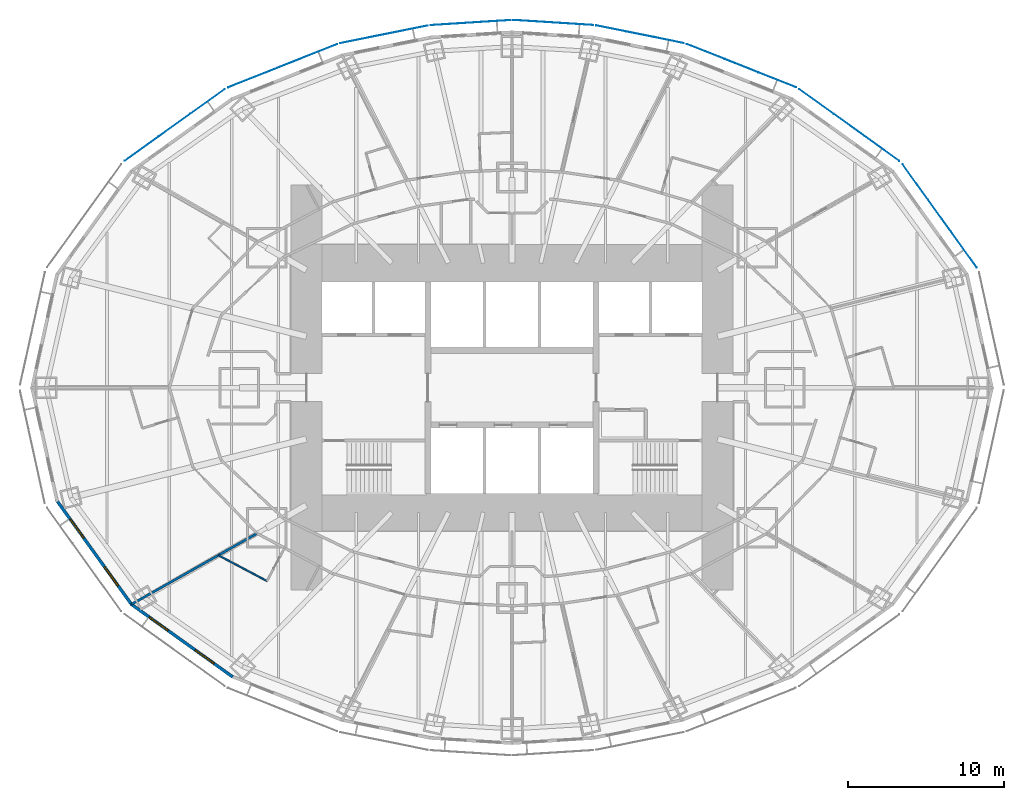
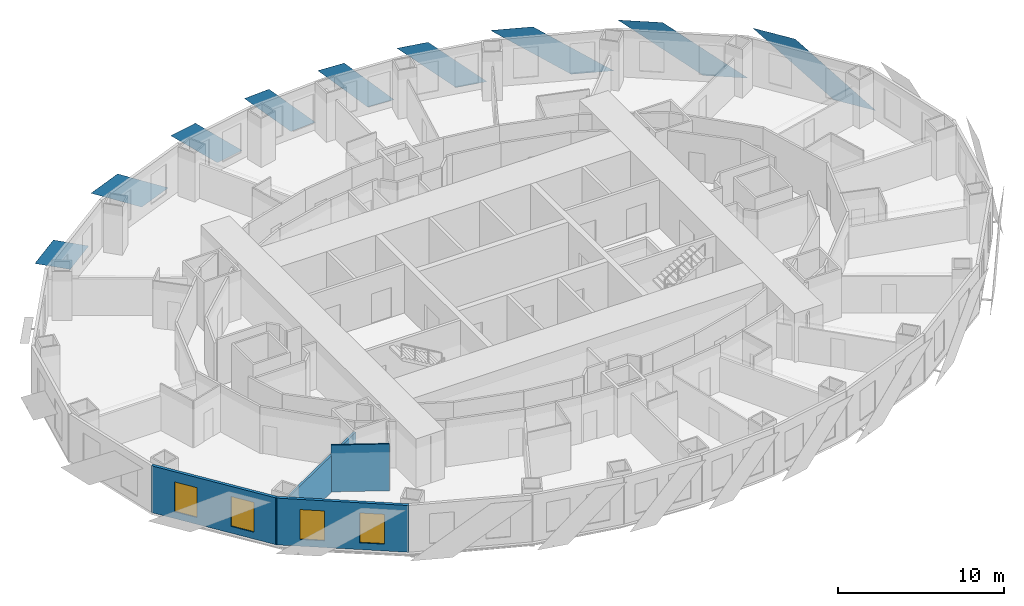
# One storey, part 4 of 15: 9 plates, 4 walls, 4 windows, 4 openings.
"""IFC4 building model written with IfcOpenShell, lengths in metres."""

from ifc_helpers import new_model, si_unit, direction, frame, frame_2d, origin, place, context, subcontext, project, spatial, polyline, rectangle, outline, extrude, material, layer, layer_set, type_object, element, fill, save


model = new_model("IFC4")

# Units and contexts
model_context = context("Model", 3, precision=1e-05, world=origin(), true_north=direction((0.0, 1.0)))
body_context = subcontext(model_context, "Body", "Model", "MODEL_VIEW")
ifc_project = project(units=[si_unit("LENGTHUNIT", "METRE"), si_unit("AREAUNIT", "SQUARE_METRE"), si_unit("VOLUMEUNIT", "CUBIC_METRE"), si_unit("PLANEANGLEUNIT", "RADIAN"), si_unit("MASSUNIT", "GRAM", prefix="KILO")], contexts=[model_context])

# Site, building, storey
site_placement = place(None, origin())
site = spatial("IfcSite", under=ifc_project, at=site_placement, CompositionType="ELEMENT")
building_placement = place(site_placement, origin())
building = spatial("IfcBuilding", under=site, at=building_placement, Name="Lantaw Convention Tower", CompositionType="ELEMENT")
storey_placement = place(building_placement, frame((0.0, 0.0, 80.199951171875)))
storey = spatial("IfcBuildingStorey", under=building, at=storey_placement, Name="L18", CompositionType="ELEMENT", Elevation=80.199951171875)

# Plates
ifc_material_1 = material(Name="Perforated aluminium sheet, pale silver finish", Category="aluminium")
ifc_layer_1 = layer(ifc_material_1, 0.006103515625)
ifc_layer_set_1 = layer_set([ifc_layer_1], Name="Perforated aluminium solar SCREEN panel")
plate_type = type_object("IfcPlateType", Name="Perforated aluminium solar SCREEN panel", PredefinedType="SHEET", material=ifc_layer_set_1)
plate_1_placement = place(storey_placement, frame((29.847900390625, 7.720947265625, -0.175048828125), z_axis=(0.811791382613, 0.583947558463, 9.019268e-06), x_axis=(-0.583947558486, 0.811791382646, 0.0)))
element("IfcPlate", 1, at=plate_1_placement, inside=storey, type_object=plate_type, Name="Solar SCREEN panel", PredefinedType="SHEET", context=body_context, shape_type="SweptSolid", body=[
    extrude(outline(polyline([(0.0, 0.0), (2.809541672291133, 0.0), (8.163093158837512, 3.739990234527119), (5.353551486546379, 3.739990234527119), (0.0, 0.0)])), origin(), (0.0, 0.0, -1.0), 0.006103515625),
])
plate_2_placement = place(storey_placement, frame((24.872314453125, 14.555908203125, -0.175048828125), z_axis=(0.582561421998, 0.812786681331, 1.5819417e-05), x_axis=(-0.812786681433, 0.582561422071, 0.0)))
element("IfcPlate", 2, at=plate_2_placement, inside=storey, type_object=plate_type, Name="Solar SCREEN panel", PredefinedType="SHEET", context=body_context, shape_type="SweptSolid", body=[
    extrude(outline(polyline([(0.0, 0.0), (2.721095180812288, 3.3881317890172014e-21), (7.903118572410756, 3.739990234842974), (5.182023391598468, 3.739990234842974), (0.0, 0.0)])), origin(), (0.0, 0.0, -1.0), 0.006103515625),
])
plate_3_placement = place(storey_placement, frame((18.232177734375, 19.278076171875, -0.175048828125), z_axis=(-0.369183532846, -0.929356508016, 9.163296e-06), x_axis=(-0.929356508055, 0.369183532862, 0.0)))
element("IfcPlate", 3, at=plate_3_placement, inside=storey, type_object=plate_type, Name="Solar SCREEN panel", PredefinedType="SHEET", context=body_context, shape_type="SweptSolid", body=[
    extrude(outline(polyline([(0.0, 0.0), (2.594936467166582, -1.6940658945086007e-21), (7.5321069917580825, -3.739990234532016), (4.937170524591499, -3.739990234532016), (0.0, 0.0)])), origin(), (0.0, 0.0, -1.0), 0.006103515625),
])
plate_4_placement = place(storey_placement, frame((11.03271484375, 22.117919921875, -0.175048828125), z_axis=(-0.197781876197, -0.980246055561, 2.418535e-06), x_axis=(-0.980246055563, 0.197781876198, 1.46e-10)))
element("IfcPlate", 4, at=plate_4_placement, inside=storey, type_object=plate_type, Name="Solar SCREEN panel", PredefinedType="SHEET", context=body_context, shape_type="SweptSolid", body=[
    extrude(outline(polyline([(0.0, 0.0), (1.9867801772236329, -3.1763735522036263e-22), (5.743587245978565, -3.7399902335493134), (3.7568553553458006, -3.739990234128105), (0.0, 0.0)])), origin(), (0.0, 0.0, -1.0), 0.006103515625),
])
plate_5_placement = place(storey_placement, frame((5.221923828125, 23.27783203125, -0.175048828125), z_axis=(-0.062923905251, -0.998018327468, 1.3605496e-05), x_axis=(-0.998018327561, 0.062923905257, 9.3e-10)))
element("IfcPlate", 5, at=plate_5_placement, inside=storey, type_object=plate_type, Name="Solar SCREEN panel", PredefinedType="SHEET", context=body_context, shape_type="SweptSolid", body=[
    extrude(outline(polyline([(0.0, 0.0), (1.7828375409377817, -2.117582368135751e-22), (5.143985963027618, -3.739990229938699), (3.3611637843713935, -3.7399902332537565), (0.0, 0.0)])), origin(), (0.0, 0.0, -1.0), 0.006103515625),
])
plate_6_placement = place(storey_placement, frame((-0.088134765625, 23.6015625, -0.175048828125), z_axis=(-0.062923905251, 0.998018327468, 1.3605496e-05), x_axis=(-0.998018327561, -0.062923905257, -9.3e-10)))
element("IfcPlate", 6, at=plate_6_placement, inside=storey, type_object=plate_type, Name="Solar SCREEN panel", PredefinedType="SHEET", context=body_context, shape_type="SweptSolid", body=[
    extrude(outline(polyline([(0.0, 0.0), (1.782822178656225, -2.117582368135751e-22), (5.143985956073316, 3.7399902395036517), (3.3611484151355353, 3.7399902361885653), (0.0, 0.0)])), origin(), (0.0, 0.0, -1.0), 0.006103515625),
])
plate_7_placement = place(storey_placement, frame((-5.402587890625, 23.25390625, -0.175048828125), z_axis=(-0.197781876197, 0.980246055561, 2.418535e-06), x_axis=(-0.980246055563, -0.197781876198, -1.46e-10)))
element("IfcPlate", 7, at=plate_7_placement, inside=storey, type_object=plate_type, Name="Solar SCREEN panel", PredefinedType="SHEET", context=body_context, shape_type="SweptSolid", body=[
    extrude(outline(polyline([(0.0, 0.0), (1.9867318906327642, 1.0587911840678754e-22), (5.743587244888999, 3.7399902352225842), (3.7568070676653664, 3.7399902346437783), (0.0, 0.0)])), origin(), (0.0, 0.0, -1.0), 0.006103515625),
])
plate_8_placement = place(storey_placement, frame((-11.232177734375, 22.058837890625, -0.175048828125), z_axis=(-0.369183532846, 0.929356508016, 9.163296e-06), x_axis=(-0.929356508055, -0.369183532862, 0.0)))
element("IfcPlate", 8, at=plate_8_placement, inside=storey, type_object=plate_type, Name="Solar SCREEN panel", PredefinedType="SHEET", context=body_context, shape_type="SweptSolid", body=[
    extrude(outline(polyline([(0.0, 0.0), (2.594936467166582, 1.6940658945086007e-21), (7.5321069917580825, 3.739990234532016), (4.937170524591499, 3.739990234532016), (0.0, 0.0)])), origin(), (0.0, 0.0, -1.0), 0.006103515625),
])
plate_9_placement = place(storey_placement, frame((-18.44873046875, 19.159912109375, -0.175048828125), z_axis=(0.582561421998, -0.812786681331, 1.5819417e-05), x_axis=(-0.812786681433, -0.582561422071, 0.0)))
element("IfcPlate", 9, at=plate_9_placement, inside=storey, type_object=plate_type, Name="Solar SCREEN panel", PredefinedType="SHEET", context=body_context, shape_type="SweptSolid", body=[
    extrude(outline(polyline([(0.0, 0.0), (2.721095180812288, -3.3881317890172014e-21), (7.903118572410756, -3.739990234842974), (5.182023391598468, -3.739990234842974), (0.0, 0.0)])), origin(), (0.0, 0.0, -1.0), 0.006103515625),
])

# Wall
ifc_material_2 = material(Name="Moisture resistant gypsum board on steel studs", Category="steel")
ifc_layer_2 = layer(ifc_material_2, 0.10009765625)
ifc_layer_set_2 = layer_set([ifc_layer_2], Name="Bathroom wall 100")
wall_type_1 = type_object("IfcWallType", Name="Bathroom wall 100", PredefinedType="PARTITIONING", material=ifc_layer_set_2)
wall_1_placement = place(storey_placement, frame((-15.727294921875, -12.4111328125, 0.0), z_axis=(0.0, 0.0, 1.0), x_axis=(-0.88335195308, 0.468710280439, 0.0)))
element("IfcWall", 10, at=wall_1_placement, inside=storey, type_object=wall_type_1, Name="Bathroom wall 100", PredefinedType="PARTITIONING", context=body_context, shape_type="SweptSolid", body=[
    extrude(rectangle(XDim=3.517578125, YDim=0.10009765625, at=frame_2d((1.7587890625, 0.0))), origin(), (0.0, 0.0, 1.0), 3.449951171875),
])

# Wall, openings, windows
ifc_material_3 = material(Name="Insulated aluminium panel on steel frame", Category="steel")
ifc_layer_3 = layer(ifc_material_3, 0.199951171875)
ifc_layer_set_3 = layer_set([ifc_layer_3], Name="External wall 200")
wall_type_2 = type_object("IfcWallType", Name="External wall 200", PredefinedType="SOLIDWALL", material=ifc_layer_set_3)
wall_2_placement = place(storey_placement, frame((-29.260498046875, -7.199951171875, 0.0), z_axis=(0.0, 0.0, 1.0), x_axis=(0.583937613703, -0.811798536155, 0.0)))
wall_2 = element("IfcWall", 11, at=wall_2_placement, inside=storey, type_object=wall_type_2, Name="Facade panel wall", PredefinedType="SOLIDWALL", context=body_context, shape_type="SweptSolid", body=[
    extrude(rectangle(XDim=8.322998046875, YDim=0.199951171875, at=frame_2d((4.16162109375, 0.0))), origin(), (0.0, 0.0, 1.0), 3.449951171875),
])
opening_1_placement = place(wall_2_placement, frame((1.53076171875, 0.0, 0.5)))
opening_1 = element("IfcOpeningElement", 12, at=opening_1_placement, cuts=wall_2, Name="Opening W2", PredefinedType="OPENING", context=body_context, shape_type="SweptSolid", body=[
    extrude(rectangle(XDim=1.5, YDim=2.199951171875, at=frame_2d((0.75, 1.10009765625))), frame((0.0, 0.10986328125, 0.0), z_axis=(0.0, -1.0, 0.0), x_axis=(1.0, 0.0, 0.0)), (0.0, 0.0, 1.0), 0.219970703125),
])
opening_2_placement = place(wall_2_placement, frame((5.292236328125, 0.0, 0.5)))
opening_2 = element("IfcOpeningElement", 13, at=opening_2_placement, cuts=wall_2, Name="Opening W2", PredefinedType="OPENING", context=body_context, shape_type="SweptSolid", body=[
    extrude(rectangle(XDim=1.5, YDim=2.199951171875, at=frame_2d((0.75, 1.10009765625))), frame((0.0, 0.10986328125, 0.0), z_axis=(0.0, -1.0, 0.0), x_axis=(1.0, 0.0, 0.0)), (0.0, 0.0, 1.0), 0.219970703125),
])
ifc_material_4 = material(Name="Aluminium frame, clear insulating glass", Category="aluminium")
window_type = type_object("IfcWindowType", Name="Suite window 1500x2200", PartitioningType="SINGLE_PANEL", PredefinedType="WINDOW", material=ifc_material_4)
window_1_placement = place(opening_1_placement, origin())
window_1 = element("IfcWindow", 14, at=window_1_placement, inside=storey, type_object=window_type, Name="Guest room window", OverallHeight=2.199951171875, OverallWidth=1.5, PartitioningType="SINGLE_PANEL", PredefinedType="WINDOW", context=body_context, shape_type="SweptSolid", body=[
    extrude(rectangle(XDim=1.5, YDim=2.199951171875, at=frame_2d((0.75, 1.10009765625))), frame((0.0, 0.030029296875, 0.0), z_axis=(0.0, -1.0, 0.0), x_axis=(1.0, 0.0, 0.0)), (0.0, 0.0, 1.0), 0.06005859375),
])
fill(opening_1, window_1)
window_2_placement = place(opening_2_placement, origin())
window_2 = element("IfcWindow", 15, at=window_2_placement, inside=storey, type_object=window_type, Name="Guest room window", OverallHeight=2.199951171875, OverallWidth=1.5, PartitioningType="SINGLE_PANEL", PredefinedType="WINDOW", context=body_context, shape_type="SweptSolid", body=[
    extrude(rectangle(XDim=1.5, YDim=2.199951171875, at=frame_2d((0.75, 1.10009765625))), frame((0.0, 0.030029296875, 0.0), z_axis=(0.0, -1.0, 0.0), x_axis=(1.0, 0.0, 0.0)), (0.0, 0.0, 1.0), 0.06005859375),
])
fill(opening_2, window_2)

wall_3_placement = place(storey_placement, frame((-24.482421875, -13.87451171875, 0.0), z_axis=(0.0, 0.0, 1.0), x_axis=(0.812791321576, -0.582554948112, 0.0)))
wall_3 = element("IfcWall", 16, at=wall_3_placement, inside=storey, type_object=wall_type_2, Name="Facade panel wall", PredefinedType="SOLIDWALL", context=body_context, shape_type="SweptSolid", body=[
    extrude(rectangle(XDim=8.063232421875, YDim=0.199951171875, at=frame_2d((4.03173828125, 0.0))), origin(), (0.0, 0.0, 1.0), 3.449951171875),
])
opening_3_placement = place(wall_3_placement, frame((1.4658203125, 0.0, 0.5)))
opening_3 = element("IfcOpeningElement", 17, at=opening_3_placement, cuts=wall_3, Name="Opening W2", PredefinedType="OPENING", context=body_context, shape_type="SweptSolid", body=[
    extrude(rectangle(XDim=1.5, YDim=2.199951171875, at=frame_2d((0.75, 1.10009765625))), frame((0.0, 0.10986328125, 0.0), z_axis=(0.0, -1.0, 0.0), x_axis=(1.0, 0.0, 0.0)), (0.0, 0.0, 1.0), 0.219970703125),
])
opening_4_placement = place(wall_3_placement, frame((5.097412109375, 0.0, 0.5)))
opening_4 = element("IfcOpeningElement", 18, at=opening_4_placement, cuts=wall_3, Name="Opening W2", PredefinedType="OPENING", context=body_context, shape_type="SweptSolid", body=[
    extrude(rectangle(XDim=1.5, YDim=2.199951171875, at=frame_2d((0.75, 1.10009765625))), frame((0.0, 0.10986328125, 0.0), z_axis=(0.0, -1.0, 0.0), x_axis=(1.0, 0.0, 0.0)), (0.0, 0.0, 1.0), 0.219970703125),
])
window_3_placement = place(opening_3_placement, origin())
window_3 = element("IfcWindow", 19, at=window_3_placement, inside=storey, type_object=window_type, Name="Guest room window", OverallHeight=2.199951171875, OverallWidth=1.5, PartitioningType="SINGLE_PANEL", PredefinedType="WINDOW", context=body_context, shape_type="SweptSolid", body=[
    extrude(rectangle(XDim=1.5, YDim=2.199951171875, at=frame_2d((0.75, 1.10009765625))), frame((0.0, 0.030029296875, 0.0), z_axis=(0.0, -1.0, 0.0), x_axis=(1.0, 0.0, 0.0)), (0.0, 0.0, 1.0), 0.06005859375),
])
fill(opening_3, window_3)
window_4_placement = place(opening_4_placement, origin())
window_4 = element("IfcWindow", 20, at=window_4_placement, inside=storey, type_object=window_type, Name="Guest room window", OverallHeight=2.199951171875, OverallWidth=1.5, PartitioningType="SINGLE_PANEL", PredefinedType="WINDOW", context=body_context, shape_type="SweptSolid", body=[
    extrude(rectangle(XDim=1.5, YDim=2.199951171875, at=frame_2d((0.75, 1.10009765625))), frame((0.0, 0.030029296875, 0.0), z_axis=(0.0, -1.0, 0.0), x_axis=(1.0, 0.0, 0.0)), (0.0, 0.0, 1.0), 0.06005859375),
])
fill(opening_4, window_4)

# Wall
ifc_material_5 = material(Name="Gypsum board on steel studs, acoustic", Category="steel")
ifc_layer_4 = layer(ifc_material_5, 0.14990234375)
ifc_layer_set_4 = layer_set([ifc_layer_4], Name="Guest room party wall 150")
wall_type_3 = type_object("IfcWallType", Name="Guest room party wall 150", PredefinedType="PARTITIONING", material=ifc_layer_set_4)
wall_4_placement = place(storey_placement, frame((-24.434814453125, -13.90869140625, 0.0), z_axis=(0.0, 0.0, 1.0), x_axis=(0.870744406136, 0.491735883563, 0.0)))
element("IfcWall", 21, at=wall_4_placement, inside=storey, type_object=wall_type_3, Name="Guest room party wall 150", PredefinedType="PARTITIONING", context=body_context, shape_type="SweptSolid", body=[
    extrude(rectangle(XDim=9.262939453125, YDim=0.14990234375, at=frame_2d((4.63134765625, 0.0))), origin(), (0.0, 0.0, 1.0), 2.693115234375),
])

save(model, "model.ifc")
